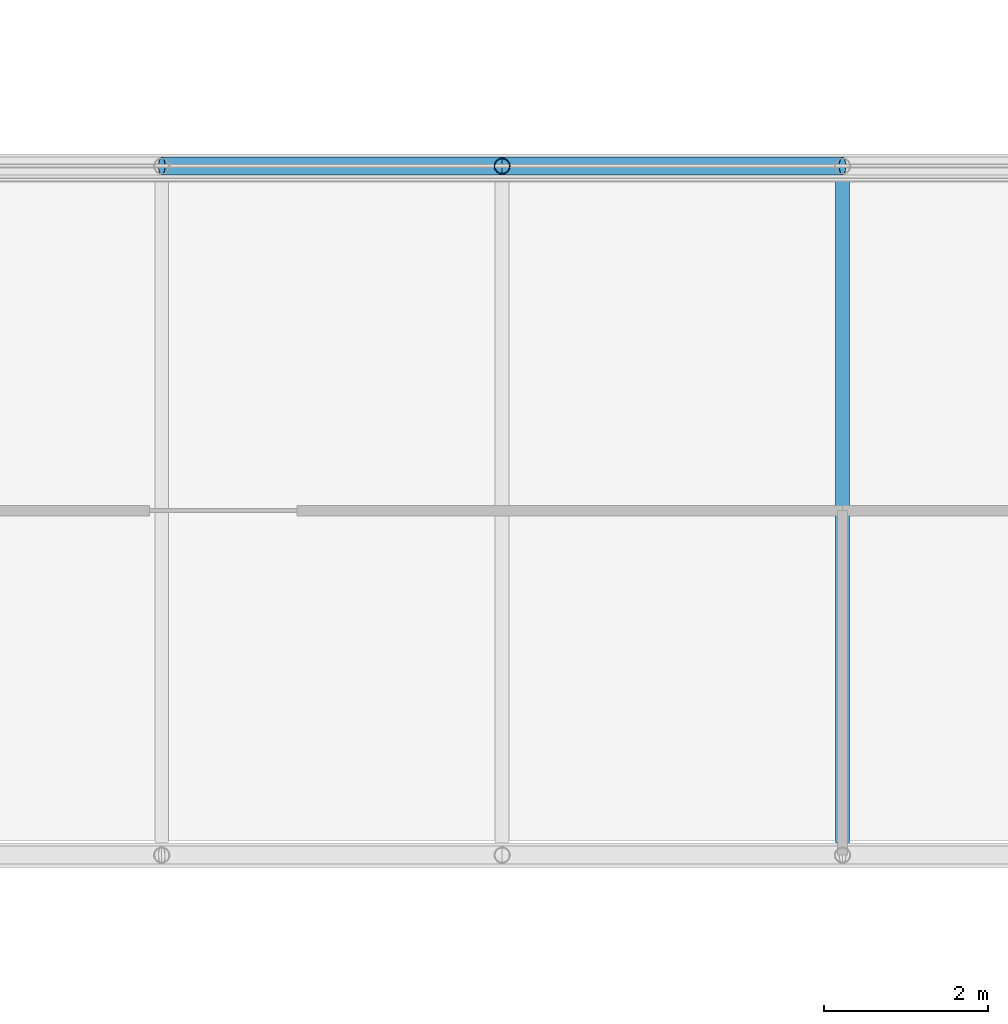
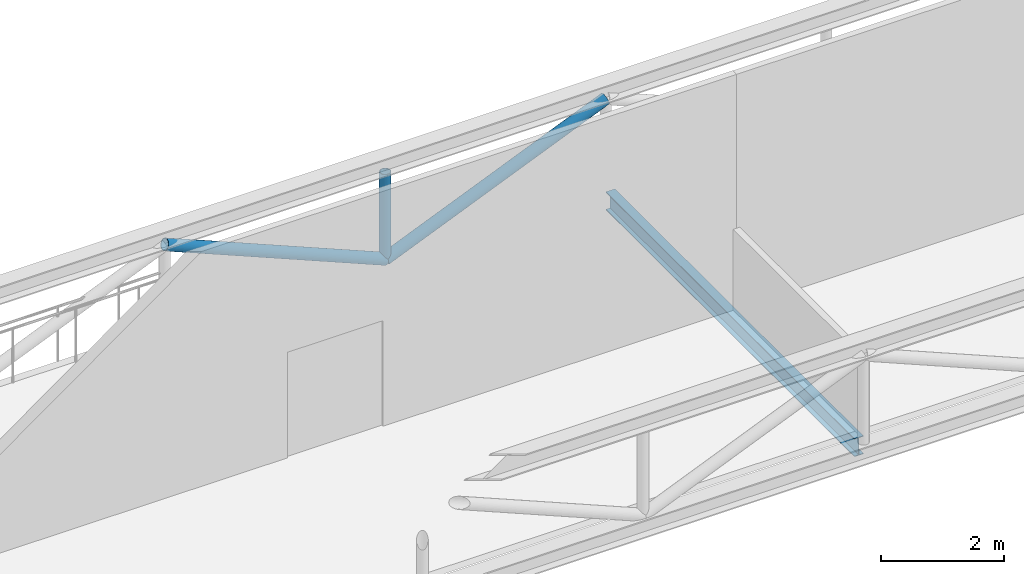
# One storey, part 16 of 76: 3 members, 1 beam.
"""IFC4 building model written with IfcOpenShell, lengths in metres."""

from ifc_helpers import new_model, si_unit, direction, frame, origin, origin_2d, place, context, subcontext, project, spatial, hollow_circle, i_section, extrude, material, material_profile, profile_set, type_object, element, save


model = new_model("IFC4")

# Units and contexts
model_context = context("Model", 3, precision=1e-05, world=origin(), true_north=direction((0.0, 1.0)))
body_context = subcontext(model_context, "Body", "Model", "MODEL_VIEW")
ifc_project = project(units=[si_unit("LENGTHUNIT", "METRE"), si_unit("AREAUNIT", "SQUARE_METRE"), si_unit("VOLUMEUNIT", "CUBIC_METRE"), si_unit("PLANEANGLEUNIT", "RADIAN"), si_unit("MASSUNIT", "GRAM", prefix="KILO")], contexts=[model_context])

# Site, building, storey
site_placement = place(None, origin())
site = spatial("IfcSite", under=ifc_project, at=site_placement, CompositionType="ELEMENT")
building_placement = place(site_placement, origin())
building = spatial("IfcBuilding", under=site, at=building_placement, Name="Sava Quay Ferry Terminal", CompositionType="ELEMENT")
storey_placement = place(building_placement, frame((0.0, 0.0, 6.0)))
storey = spatial("IfcBuildingStorey", under=building, at=storey_placement, Name="L01", CompositionType="ELEMENT", Elevation=6.0)

# Beam
ifc_material_1 = material(Name="Steel S355", Category="steel")
ifc_material_profile_1 = material_profile(ifc_material_1, i_section(OverallWidth=0.169921875, OverallDepth=0.360107421875, WebThickness=0.008056640625, FlangeThickness=0.0126953125, at=origin_2d()), Name="IPE 360")
ifc_profile_set_1 = profile_set([ifc_material_profile_1], Name="Steel S355")
beam_type = type_object("IfcBeamType", Name="Beam IPE 360", PredefinedType="BEAM", material=ifc_profile_set_1)
beam_placement = place(storey_placement, frame((63.0, 50.550048828125, -0.31005859375), z_axis=(0.0, 1.0, 0.0), x_axis=(-1.0, 0.0, 0.0)))
element("IfcBeam", 1, at=beam_placement, inside=storey, type_object=beam_type, Name="Truss floor beam", PredefinedType="BEAM", context=body_context, shape_type="SweptSolid", body=[
    extrude(i_section(OverallWidth=0.169921875, OverallDepth=0.360107421875, WebThickness=0.008056640625, FlangeThickness=0.0126953125, at=origin_2d()), origin(), (0.0, 0.0, 1.0), 8.099853515625),
])

# Members
ifc_material_2 = material(Name="Steel S355", Category="steel")
ifc_material_profile_2 = material_profile(ifc_material_2, hollow_circle(Radius=0.096923828125, WallThickness=0.008056640625, at=origin_2d()), Name="CHS 193.7 x 8")
ifc_profile_set_2 = profile_set([ifc_material_profile_2], Name="Steel S355")
member_type_1 = type_object("IfcMemberType", Name="Brace CHS 193.7 x 8", PredefinedType="BRACE", material=ifc_profile_set_2)
member_1_placement = place(storey_placement, frame((58.85009765625, 58.800048828125, -0.1298828125), z_axis=(0.0, 0.0, 1.0), x_axis=(1.0, 0.0, 0.0)))
element("IfcMember", 2, at=member_1_placement, inside=storey, type_object=member_type_1, Name="Truss post 58.8", PredefinedType="BRACE", context=body_context, shape_type="SweptSolid", body=[
    extrude(hollow_circle(Radius=0.096923828125, WallThickness=0.008056640625, at=origin_2d()), origin(), (0.0, 0.0, 1.0), 1.739990234375),
])
ifc_material_3 = material(Name="Steel S355", Category="steel")
ifc_material_profile_3 = material_profile(ifc_material_3, hollow_circle(Radius=0.109619140625, WallThickness=0.010009765625, at=origin_2d()), Name="CHS 219.1 x 10")
ifc_profile_set_3 = profile_set([ifc_material_profile_3], Name="Steel S355")
member_type_2 = type_object("IfcMemberType", Name="Brace CHS 219.1 x 10", PredefinedType="BRACE", material=ifc_profile_set_3)
member_2_placement = place(storey_placement, frame((58.85009765625, 58.800048828125, -0.1298828125), z_axis=(-0.922225585588, 0.0, 0.386652258867), x_axis=(0.0, -1.0, 0.0)))
element("IfcMember", 3, at=member_2_placement, inside=storey, type_object=member_type_2, Name="Truss diagonal 58.8", PredefinedType="BRACE", context=body_context, shape_type="SweptSolid", body=[
    extrude(hollow_circle(Radius=0.109619140625, WallThickness=0.010009765625, at=origin_2d()), origin(), (0.0, 0.0, 1.0), 4.500244140625),
])
member_3_placement = place(storey_placement, frame((58.85009765625, 58.800048828125, -0.1298828125), z_axis=(0.922217474343, 0.0, 0.386671604874), x_axis=(0.0, 1.0, 0.0)))
element("IfcMember", 4, at=member_3_placement, inside=storey, type_object=member_type_2, Name="Truss diagonal 58.8", PredefinedType="BRACE", context=body_context, shape_type="SweptSolid", body=[
    extrude(hollow_circle(Radius=0.109619140625, WallThickness=0.010009765625, at=origin_2d()), origin(), (0.0, 0.0, 1.0), 4.5),
])

save(model, "model.ifc")
